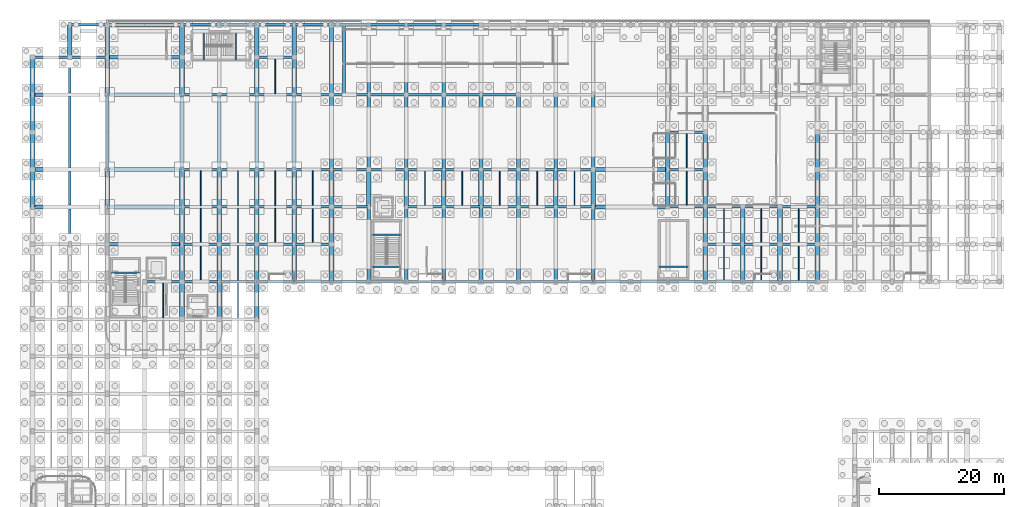
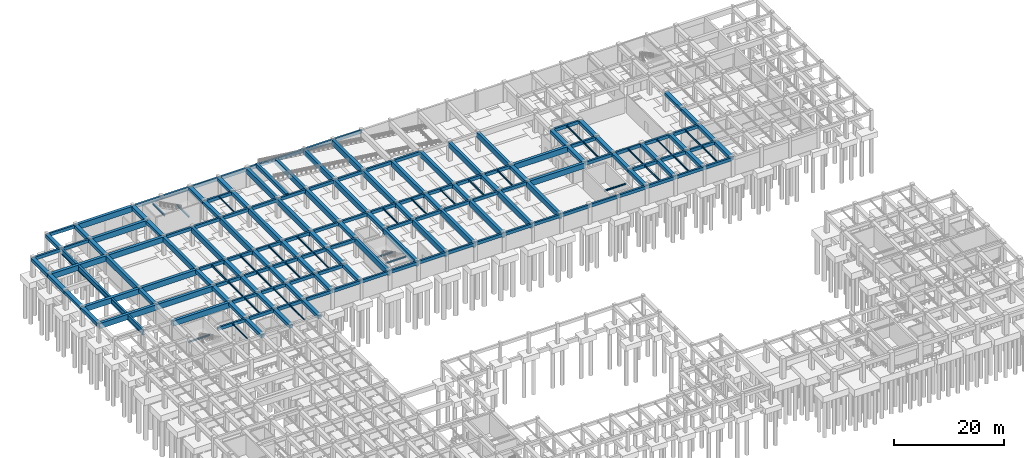
# One storey, part 14 of 32: 195 beams.
"""IFC4 building model written with IfcOpenShell, lengths in metres."""

from ifc_helpers import new_model, si_unit, direction, frame, origin, origin_2d, place, context, subcontext, project, spatial, rectangle, i_section, extrude, material, material_profile, profile_set, type_object, element, save


model = new_model("IFC4")

# Units and contexts
model_context = context("Model", 3, precision=1e-05, world=origin(), true_north=direction((0.0, 1.0)))
body_context = subcontext(model_context, "Body", "Model", "MODEL_VIEW")
ifc_project = project(units=[si_unit("LENGTHUNIT", "METRE"), si_unit("AREAUNIT", "SQUARE_METRE"), si_unit("VOLUMEUNIT", "CUBIC_METRE"), si_unit("PLANEANGLEUNIT", "RADIAN"), si_unit("MASSUNIT", "GRAM", prefix="KILO")], contexts=[model_context])

# Site, building, storey
site_placement = place(None, origin())
site = spatial("IfcSite", under=ifc_project, at=site_placement, CompositionType="ELEMENT")
building_placement = place(site_placement, origin())
building = spatial("IfcBuilding", under=site, at=building_placement, Name="Varnakota Square Police Headquarters", CompositionType="ELEMENT")
storey_placement = place(building_placement, frame((0.0, 0.0, -4.5)))
storey = spatial("IfcBuildingStorey", under=building, at=storey_placement, Name="B1", CompositionType="ELEMENT", Elevation=-4.5)

# Beams
ifc_material_1 = material(Name="Steel IS 2062 Grade 350", Category="steel")
ifc_material_profile_1 = material_profile(ifc_material_1, i_section(OverallWidth=0.419921875, OverallDepth=1.199951171875, WebThickness=0.02197265625, FlangeThickness=0.034912109375, at=origin_2d()), Name="BPG 1200x420")
ifc_profile_set_1 = profile_set([ifc_material_profile_1], Name="Steel IS 2062 Grade 350")
beam_type_1 = type_object("IfcBeamType", Name="BM-BPG1200", PredefinedType="BEAM", material=ifc_profile_set_1)
beam_1_placement = place(storey_placement, frame((12.0, 75.0, 3.60009765625), z_axis=(0.0, 1.0, 0.0), x_axis=(-1.0, 0.0, 0.0)))
element("IfcBeam", 1, at=beam_1_placement, inside=storey, type_object=beam_type_1, Name="Clear-span hall girder B1 X=12", PredefinedType="BEAM", context=body_context, shape_type="SweptSolid", body=[
    extrude(i_section(OverallWidth=0.419921875, OverallDepth=1.199951171875, WebThickness=0.02197265625, FlangeThickness=0.034912109375, at=origin_2d()), origin(), (0.0, 0.0, 1.0), 30.0),
])
ifc_material_profile_2 = material_profile(ifc_material_1, i_section(OverallWidth=0.25, OverallDepth=0.300048828125, WebThickness=0.009521484375, FlangeThickness=0.010498046875, FilletRadius=0.011962890625, at=origin_2d()), Name="ISHB 300")
ifc_profile_set_2 = profile_set([ifc_material_profile_2], Name="Steel IS 2062 Grade 350")
beam_type_2 = type_object("IfcBeamType", Name="BM-ISHB300", PredefinedType="BEAM", material=ifc_profile_set_2)
for number, where, z_axis, x_axis, name in (
    (2, (18.699951171875, 70.400634765625, 1.94189453125), (1.0, 0.0, 0.0), (0.0, 1.0, 0.0), "Stair landing support beam BM-LND-0057"),
    (3, (60.60009765625, 76.500732421875, 1.94189453125), (1.0, 0.0, 0.0), (0.0, 1.0, 0.0), "Stair landing support beam BM-LND-0069"),
    (4, (60.60009765625, 71.400146484375, 4.10009765625), (1.0, 0.0, 0.0), (0.0, 1.0, 0.0), "Stair landing support beam BM-LND-0070"),
    (5, (38.6005859375, 104.60009765625, 1.94189453125), (0.0, 1.0, 0.0), (-1.0, 0.0, 0.0), "Stair landing support beam BM-LND-0079"),
    (6, (33.5, 104.60009765625, 4.070068359375), (0.0, 1.0, 0.0), (-1.0, 0.0, 0.0), "Stair landing support beam BM-LND-0080"),
):
    element("IfcBeam", number, at=place(storey_placement, frame(where, z_axis=z_axis, x_axis=x_axis)), inside=storey, type_object=beam_type_2, Name=name, PredefinedType="BEAM", context=body_context, shape_type="SweptSolid", body=[
        extrude(i_section(OverallWidth=0.25, OverallDepth=0.300048828125, WebThickness=0.009521484375, FlangeThickness=0.010498046875, FilletRadius=0.011962890625, at=origin_2d()), origin(), (0.0, 0.0, 1.0), 4.5),
    ])
beam_2_placement = place(storey_placement, frame((106.60009765625, 71.400146484375, 4.10009765625), z_axis=(1.0, 0.0, 0.0), x_axis=(0.0, 1.0, 0.0)))
element("IfcBeam", 7, at=beam_2_placement, inside=storey, type_object=beam_type_2, Name="Stair landing support beam BM-LND-0097", PredefinedType="BEAM", context=body_context, shape_type="SweptSolid", body=[
    extrude(i_section(OverallWidth=0.25, OverallDepth=0.300048828125, WebThickness=0.009521484375, FlangeThickness=0.010498046875, FilletRadius=0.011962890625, at=origin_2d()), origin(), (0.0, 0.0, 1.0), 4.599853515625),
])
ifc_material_profile_3 = material_profile(ifc_material_1, i_section(OverallWidth=0.139892578125, OverallDepth=0.300048828125, WebThickness=0.0078125, FlangeThickness=0.01318359375, FilletRadius=0.013916015625, at=origin_2d()), Name="ISMB 300")
ifc_profile_set_3 = profile_set([ifc_material_profile_3], Name="Steel IS 2062 Grade 350")
beam_type_3 = type_object("IfcBeamType", Name="BM-ISMB300", PredefinedType="JOIST", material=ifc_profile_set_3)
for number, where, z_axis, x_axis, name in (
    (8, (27.0, 63.197998046875, 4.050048828125), (0.0, 1.0, 0.0), (-1.0, 0.0, 0.0), "BMG-B1-0582"),
    (9, (33.0, 75.197998046875, 4.050048828125), (0.0, 1.0, 0.0), (-1.0, 0.0, 0.0), "BMG-B1-0594"),
    (10, (39.0, 69.197998046875, 4.050048828125), (0.0, 1.0, 0.0), (-1.0, 0.0, 0.0), "BMG-B1-0607"),
    (11, (45.0, 81.197998046875, 4.050048828125), (0.0, 1.0, 0.0), (-1.0, 0.0, 0.0), "BMG-B1-0614"),
    (12, (45.0, 99.197998046875, 4.050048828125), (0.0, 1.0, 0.0), (-1.0, 0.0, 0.0), "BMG-B1-0615"),
    (13, (51.0, 75.197998046875, 4.050048828125), (0.0, 1.0, 0.0), (-1.0, 0.0, 0.0), "BMG-B1-0617"),
    (14, (81.0, 81.197998046875, 4.050048828125), (0.0, 1.0, 0.0), (-1.0, 0.0, 0.0), "BMG-B1-0628"),
    (15, (111.0, 87.197998046875, 4.050048828125), (0.0, 1.0, 0.0), (-1.0, 0.0, 0.0), "BMG-B1-0638"),
    (16, (123.0, 75.197998046875, 4.050048828125), (0.0, 1.0, 0.0), (-1.0, 0.0, 0.0), "BMG-B1-0647"),
    (17, (129.0, 69.197998046875, 4.050048828125), (0.0, 1.0, 0.0), (-1.0, 0.0, 0.0), "BMG-B1-0649"),
):
    element("IfcBeam", number, at=place(storey_placement, frame(where, z_axis=z_axis, x_axis=x_axis)), inside=storey, type_object=beam_type_3, Name=name, PredefinedType="JOIST", context=body_context, shape_type="SweptSolid", body=[
        extrude(i_section(OverallWidth=0.139892578125, OverallDepth=0.300048828125, WebThickness=0.0078125, FlangeThickness=0.01318359375, FilletRadius=0.013916015625, at=origin_2d()), origin(), (0.0, 0.0, 1.0), 5.60400390625),
    ])
ifc_material_profile_4 = material_profile(ifc_material_1, i_section(OverallWidth=0.139892578125, OverallDepth=0.35009765625, WebThickness=0.008056640625, FlangeThickness=0.01416015625, FilletRadius=0.013916015625, at=origin_2d()), Name="ISMB 350")
ifc_profile_set_4 = profile_set([ifc_material_profile_4], Name="Steel IS 2062 Grade 350")
beam_type_4 = type_object("IfcBeamType", Name="BM-ISMB350", PredefinedType="JOIST", material=ifc_profile_set_4)
for number, where, z_axis, x_axis, name in (
    (18, (33.0, 69.197998046875, 4.02490234375), (0.0, 1.0, 0.0), (-1.0, 0.0, 0.0), "BMG-B1-0593"),
    (19, (39.0, 63.197998046875, 4.02490234375), (0.0, 1.0, 0.0), (-1.0, 0.0, 0.0), "BMG-B1-0606"),
    (20, (39.0, 81.197998046875, 4.02490234375), (0.0, 1.0, 0.0), (-1.0, 0.0, 0.0), "BMG-B1-0609"),
    (21, (45.0, 75.197998046875, 4.02490234375), (0.0, 1.0, 0.0), (-1.0, 0.0, 0.0), "BMG-B1-0613"),
    (22, (75.0, 81.197998046875, 4.02490234375), (0.0, 1.0, 0.0), (-1.0, 0.0, 0.0), "BMG-B1-0626"),
    (23, (93.0, 81.197998046875, 4.02490234375), (0.0, 1.0, 0.0), (-1.0, 0.0, 0.0), "BMG-B1-0634"),
    (24, (111.0, 81.197998046875, 4.02490234375), (0.0, 1.0, 0.0), (-1.0, 0.0, 0.0), "BMG-B1-0637"),
    (25, (117.0, 75.197998046875, 4.02490234375), (0.0, 1.0, 0.0), (-1.0, 0.0, 0.0), "BMG-B1-0643"),
    (26, (123.0, 69.197998046875, 4.02490234375), (0.0, 1.0, 0.0), (-1.0, 0.0, 0.0), "BMG-B1-0646"),
):
    element("IfcBeam", number, at=place(storey_placement, frame(where, z_axis=z_axis, x_axis=x_axis)), inside=storey, type_object=beam_type_4, Name=name, PredefinedType="JOIST", context=body_context, shape_type="SweptSolid", body=[
        extrude(i_section(OverallWidth=0.139892578125, OverallDepth=0.35009765625, WebThickness=0.008056640625, FlangeThickness=0.01416015625, FilletRadius=0.013916015625, at=origin_2d()), origin(), (0.0, 0.0, 1.0), 5.60400390625),
    ])
ifc_material_profile_5 = material_profile(ifc_material_1, i_section(OverallWidth=0.139892578125, OverallDepth=0.39990234375, WebThickness=0.0087890625, FlangeThickness=0.01611328125, FilletRadius=0.013916015625, at=origin_2d()), Name="ISMB 400")
ifc_profile_set_5 = profile_set([ifc_material_profile_5], Name="Steel IS 2062 Grade 350")
beam_type_5 = type_object("IfcBeamType", Name="BM-ISMB400", PredefinedType="JOIST", material=ifc_profile_set_5)
for number, where, z_axis, x_axis, name in (
    (27, (33.0, 81.197998046875, 4.0), (0.0, 1.0, 0.0), (-1.0, 0.0, 0.0), "BMG-B1-0595"),
    (28, (39.0, 75.197998046875, 4.0), (0.0, 1.0, 0.0), (-1.0, 0.0, 0.0), "BMG-B1-0608"),
    (29, (51.0, 81.197998046875, 4.0), (0.0, 1.0, 0.0), (-1.0, 0.0, 0.0), "BMG-B1-0618"),
    (30, (69.0, 81.197998046875, 4.0), (0.0, 1.0, 0.0), (-1.0, 0.0, 0.0), "BMG-B1-0624"),
    (31, (87.0, 81.197998046875, 4.0), (0.0, 1.0, 0.0), (-1.0, 0.0, 0.0), "BMG-B1-0630"),
    (32, (117.0, 69.197998046875, 4.0), (0.0, 1.0, 0.0), (-1.0, 0.0, 0.0), "BMG-B1-0642"),
    (33, (129.0, 75.197998046875, 4.0), (0.0, 1.0, 0.0), (-1.0, 0.0, 0.0), "BMG-B1-0650"),
):
    element("IfcBeam", number, at=place(storey_placement, frame(where, z_axis=z_axis, x_axis=x_axis)), inside=storey, type_object=beam_type_5, Name=name, PredefinedType="JOIST", context=body_context, shape_type="SweptSolid", body=[
        extrude(i_section(OverallWidth=0.139892578125, OverallDepth=0.39990234375, WebThickness=0.0087890625, FlangeThickness=0.01611328125, FilletRadius=0.013916015625, at=origin_2d()), origin(), (0.0, 0.0, 1.0), 5.60400390625),
    ])
ifc_material_2 = material(Name="Concrete M40", Category="concrete")
ifc_material_profile_6 = material_profile(ifc_material_2, rectangle(XDim=0.39990234375, YDim=0.699951171875, at=origin_2d()), Name="RC 400x700")
ifc_profile_set_6 = profile_set([ifc_material_profile_6], Name="Concrete M40")
beam_type_6 = type_object("IfcBeamType", Name="BM-RC400x700", PredefinedType="BEAM", material=ifc_profile_set_6)
for number, where, z_axis, x_axis, name in (
    (34, (24.0, 69.0, 3.85009765625), (1.0, 0.0, 0.0), (0.0, 1.0, 0.0), "BMG-B1-0141"),
    (35, (30.0, 69.0, 3.85009765625), (1.0, 0.0, 0.0), (0.0, 1.0, 0.0), "BMG-B1-0142"),
    (36, (36.0, 69.0, 3.85009765625), (1.0, 0.0, 0.0), (0.0, 1.0, 0.0), "BMG-B1-0143"),
    (37, (42.0, 69.0, 3.85009765625), (1.0, 0.0, 0.0), (0.0, 1.0, 0.0), "BMG-B1-0144"),
    (38, (48.0, 69.0, 3.85009765625), (1.0, 0.0, 0.0), (0.0, 1.0, 0.0), "BMG-B1-0145"),
    (39, (54.0, 69.0, 3.85009765625), (1.0, 0.0, 0.0), (0.0, 1.0, 0.0), "BMG-B1-0146"),
    (40, (60.0, 69.0, 3.85009765625), (1.0, 0.0, 0.0), (0.0, 1.0, 0.0), "BMG-B1-0147"),
    (41, (66.0, 69.0, 3.85009765625), (1.0, 0.0, 0.0), (0.0, 1.0, 0.0), "BMG-B1-0148"),
    (42, (72.0, 69.0, 3.85009765625), (1.0, 0.0, 0.0), (0.0, 1.0, 0.0), "BMG-B1-0149"),
    (43, (78.0, 69.0, 3.85009765625), (1.0, 0.0, 0.0), (0.0, 1.0, 0.0), "BMG-B1-0150"),
    (44, (84.0, 69.0, 3.85009765625), (1.0, 0.0, 0.0), (0.0, 1.0, 0.0), "BMG-B1-0151"),
    (45, (90.0, 69.0, 3.85009765625), (1.0, 0.0, 0.0), (0.0, 1.0, 0.0), "BMG-B1-0152"),
    (46, (96.0, 69.0, 3.85009765625), (1.0, 0.0, 0.0), (0.0, 1.0, 0.0), "BMG-B1-0153"),
    (47, (102.0, 69.0, 3.85009765625), (1.0, 0.0, 0.0), (0.0, 1.0, 0.0), "BMG-B1-0154"),
    (48, (108.0, 69.0, 3.85009765625), (1.0, 0.0, 0.0), (0.0, 1.0, 0.0), "BMG-B1-0155"),
    (49, (114.0, 69.0, 3.85009765625), (1.0, 0.0, 0.0), (0.0, 1.0, 0.0), "BMG-B1-0156"),
    (50, (120.0, 69.0, 3.85009765625), (1.0, 0.0, 0.0), (0.0, 1.0, 0.0), "BMG-B1-0157"),
    (51, (126.0, 69.0, 3.85009765625), (1.0, 0.0, 0.0), (0.0, 1.0, 0.0), "BMG-B1-0158"),
    (52, (30.0, 75.0, 3.85009765625), (1.0, 0.0, 0.0), (0.0, 1.0, 0.0), "BMG-B1-0167"),
    (53, (36.0, 75.0, 3.85009765625), (1.0, 0.0, 0.0), (0.0, 1.0, 0.0), "BMG-B1-0168"),
    (54, (42.0, 75.0, 3.85009765625), (1.0, 0.0, 0.0), (0.0, 1.0, 0.0), "BMG-B1-0169"),
    (55, (48.0, 75.0, 3.85009765625), (1.0, 0.0, 0.0), (0.0, 1.0, 0.0), "BMG-B1-0170"),
    (56, (114.0, 75.0, 3.85009765625), (1.0, 0.0, 0.0), (0.0, 1.0, 0.0), "BMG-B1-0171"),
    (57, (120.0, 75.0, 3.85009765625), (1.0, 0.0, 0.0), (0.0, 1.0, 0.0), "BMG-B1-0172"),
    (58, (126.0, 75.0, 3.85009765625), (1.0, 0.0, 0.0), (0.0, 1.0, 0.0), "BMG-B1-0173"),
    (59, (30.0, 81.0, 3.85009765625), (1.0, 0.0, 0.0), (0.0, 1.0, 0.0), "BMG-B1-0181"),
    (60, (36.0, 81.0, 3.85009765625), (1.0, 0.0, 0.0), (0.0, 1.0, 0.0), "BMG-B1-0182"),
    (61, (42.0, 81.0, 3.85009765625), (1.0, 0.0, 0.0), (0.0, 1.0, 0.0), "BMG-B1-0183"),
    (62, (48.0, 81.0, 3.85009765625), (1.0, 0.0, 0.0), (0.0, 1.0, 0.0), "BMG-B1-0184"),
    (63, (54.0, 81.0, 3.85009765625), (1.0, 0.0, 0.0), (0.0, 1.0, 0.0), "BMG-B1-0185"),
    (64, (66.0, 81.0, 3.85009765625), (1.0, 0.0, 0.0), (0.0, 1.0, 0.0), "BMG-B1-0186"),
    (65, (72.0, 81.0, 3.85009765625), (1.0, 0.0, 0.0), (0.0, 1.0, 0.0), "BMG-B1-0187"),
    (66, (78.0, 81.0, 3.85009765625), (1.0, 0.0, 0.0), (0.0, 1.0, 0.0), "BMG-B1-0188"),
    (67, (84.0, 81.0, 3.85009765625), (1.0, 0.0, 0.0), (0.0, 1.0, 0.0), "BMG-B1-0189"),
    (68, (90.0, 81.0, 3.85009765625), (1.0, 0.0, 0.0), (0.0, 1.0, 0.0), "BMG-B1-0190"),
    (69, (108.0, 81.0, 3.85009765625), (1.0, 0.0, 0.0), (0.0, 1.0, 0.0), "BMG-B1-0192"),
    (70, (114.0, 81.0, 3.85009765625), (1.0, 0.0, 0.0), (0.0, 1.0, 0.0), "BMG-B1-0193"),
    (71, (120.0, 81.0, 3.85009765625), (1.0, 0.0, 0.0), (0.0, 1.0, 0.0), "BMG-B1-0194"),
    (72, (126.0, 81.0, 3.85009765625), (1.0, 0.0, 0.0), (0.0, 1.0, 0.0), "BMG-B1-0195"),
    (73, (30.0, 87.0, 3.85009765625), (1.0, 0.0, 0.0), (0.0, 1.0, 0.0), "BMG-B1-0203"),
    (74, (36.0, 87.0, 3.85009765625), (1.0, 0.0, 0.0), (0.0, 1.0, 0.0), "BMG-B1-0204"),
    (75, (42.0, 87.0, 3.85009765625), (1.0, 0.0, 0.0), (0.0, 1.0, 0.0), "BMG-B1-0205"),
    (76, (48.0, 87.0, 3.85009765625), (1.0, 0.0, 0.0), (0.0, 1.0, 0.0), "BMG-B1-0206"),
    (77, (54.0, 87.0, 3.85009765625), (1.0, 0.0, 0.0), (0.0, 1.0, 0.0), "BMG-B1-0207"),
    (78, (60.0, 87.0, 3.85009765625), (1.0, 0.0, 0.0), (0.0, 1.0, 0.0), "BMG-B1-0208"),
    (79, (66.0, 87.0, 3.85009765625), (1.0, 0.0, 0.0), (0.0, 1.0, 0.0), "BMG-B1-0209"),
    (80, (72.0, 87.0, 3.85009765625), (1.0, 0.0, 0.0), (0.0, 1.0, 0.0), "BMG-B1-0210"),
    (81, (78.0, 87.0, 3.85009765625), (1.0, 0.0, 0.0), (0.0, 1.0, 0.0), "BMG-B1-0211"),
    (82, (84.0, 87.0, 3.85009765625), (1.0, 0.0, 0.0), (0.0, 1.0, 0.0), "BMG-B1-0212"),
    (83, (90.0, 87.0, 3.85009765625), (1.0, 0.0, 0.0), (0.0, 1.0, 0.0), "BMG-B1-0213"),
    (84, (108.0, 87.0, 3.85009765625), (1.0, 0.0, 0.0), (0.0, 1.0, 0.0), "BMG-B1-0215"),
    (85, (108.0, 93.0, 3.85009765625), (1.0, 0.0, 0.0), (0.0, 1.0, 0.0), "BMG-B1-0221"),
    (86, (30.0, 99.0, 3.85009765625), (1.0, 0.0, 0.0), (0.0, 1.0, 0.0), "BMG-B1-0229"),
    (87, (36.0, 99.0, 3.85009765625), (1.0, 0.0, 0.0), (0.0, 1.0, 0.0), "BMG-B1-0230"),
    (88, (42.0, 99.0, 3.85009765625), (1.0, 0.0, 0.0), (0.0, 1.0, 0.0), "BMG-B1-0231"),
    (89, (48.0, 99.0, 3.85009765625), (1.0, 0.0, 0.0), (0.0, 1.0, 0.0), "BMG-B1-0232"),
    (90, (54.0, 99.0, 3.85009765625), (1.0, 0.0, 0.0), (0.0, 1.0, 0.0), "BMG-B1-0233"),
    (91, (60.0, 99.0, 3.85009765625), (1.0, 0.0, 0.0), (0.0, 1.0, 0.0), "BMG-B1-0234"),
    (92, (66.0, 99.0, 3.85009765625), (1.0, 0.0, 0.0), (0.0, 1.0, 0.0), "BMG-B1-0235"),
    (93, (72.0, 99.0, 3.85009765625), (1.0, 0.0, 0.0), (0.0, 1.0, 0.0), "BMG-B1-0236"),
    (94, (78.0, 99.0, 3.85009765625), (1.0, 0.0, 0.0), (0.0, 1.0, 0.0), "BMG-B1-0237"),
    (95, (6.0, 105.0, 3.85009765625), (1.0, 0.0, 0.0), (0.0, 1.0, 0.0), "BMG-B1-0249"),
    (96, (12.0, 105.0, 3.85009765625), (1.0, 0.0, 0.0), (0.0, 1.0, 0.0), "BMG-B1-0250"),
    (97, (42.0, 105.0, 3.85009765625), (1.0, 0.0, 0.0), (0.0, 1.0, 0.0), "BMG-B1-0252"),
    (98, (12.0, 110.199951171875, 3.85009765625), (1.0, 0.0, 0.0), (0.0, 1.0, 0.0), "BMG-B1-0260"),
    (99, (30.0, 110.199951171875, 3.85009765625), (1.0, 0.0, 0.0), (0.0, 1.0, 0.0), "BMG-B1-0262"),
    (100, (36.0, 110.199951171875, 3.85009765625), (1.0, 0.0, 0.0), (0.0, 1.0, 0.0), "BMG-B1-0263"),
    (101, (42.0, 110.199951171875, 3.85009765625), (1.0, 0.0, 0.0), (0.0, 1.0, 0.0), "BMG-B1-0264"),
    (102, (48.0, 110.199951171875, 3.85009765625), (1.0, 0.0, 0.0), (0.0, 1.0, 0.0), "BMG-B1-0265"),
    (103, (54.0, 110.199951171875, 3.85009765625), (1.0, 0.0, 0.0), (0.0, 1.0, 0.0), "BMG-B1-0266"),
    (104, (60.0, 110.199951171875, 3.85009765625), (1.0, 0.0, 0.0), (0.0, 1.0, 0.0), "BMG-B1-0267"),
    (105, (66.0, 110.199951171875, 3.85009765625), (1.0, 0.0, 0.0), (0.0, 1.0, 0.0), "BMG-B1-0268"),
    (106, (72.0, 110.199951171875, 3.85009765625), (1.0, 0.0, 0.0), (0.0, 1.0, 0.0), "BMG-B1-0269"),
):
    element("IfcBeam", number, at=place(storey_placement, frame(where, z_axis=z_axis, x_axis=x_axis)), inside=storey, type_object=beam_type_6, Name=name, PredefinedType="BEAM", context=body_context, shape_type="SweptSolid", body=[
        extrude(rectangle(XDim=0.39990234375, YDim=0.699951171875, at=origin_2d()), origin(), (0.0, 0.0, 1.0), 6.0),
    ])
ifc_material_profile_7 = material_profile(ifc_material_2, rectangle(XDim=0.5, YDim=0.85009765625, at=origin_2d()), Name="RC 500x850")
ifc_profile_set_7 = profile_set([ifc_material_profile_7], Name="Concrete M40")
beam_type_7 = type_object("IfcBeamType", Name="BM-RC500x850", PredefinedType="BEAM", material=ifc_profile_set_7)
beam_3_placement = place(storey_placement, frame((56.0, 99.0, 4.074951171875), z_axis=(0.0, 1.0, 0.0), x_axis=(-1.0, 0.0, 0.0)))
element("IfcBeam", 107, at=beam_3_placement, inside=storey, type_object=beam_type_7, Name="Vehicle ramp arrival header beam B1", PredefinedType="BEAM", context=body_context, shape_type="SweptSolid", body=[
    extrude(rectangle(XDim=0.5, YDim=0.85009765625, at=origin_2d()), origin(), (0.0, 0.0, 1.0), 11.199951171875),
])
ifc_material_3 = material(Name="Concrete M50", Category="concrete")
ifc_material_profile_8 = material_profile(ifc_material_3, rectangle(XDim=0.60009765625, YDim=1.199951171875, at=origin_2d()), Name="RC 600x1200")
ifc_profile_set_8 = profile_set([ifc_material_profile_8], Name="Concrete M50")
beam_type_8 = type_object("IfcBeamType", Name="BM-RC600x1200", PredefinedType="BEAM", material=ifc_profile_set_8)
for number, where, z_axis, x_axis, name in (
    (108, (18.0, 75.0, 3.60009765625), (1.0, 0.0, 0.0), (0.0, 1.0, 0.0), "BMG-B1-0166"),
    (109, (6.0, 81.0, 3.60009765625), (1.0, 0.0, 0.0), (0.0, 1.0, 0.0), "BMG-B1-0179"),
    (110, (18.0, 81.0, 3.60009765625), (1.0, 0.0, 0.0), (0.0, 1.0, 0.0), "BMG-B1-0180"),
    (111, (96.0, 81.0, 3.60009765625), (1.0, 0.0, 0.0), (0.0, 1.0, 0.0), "BMG-B1-0191"),
    (112, (6.0, 87.0, 3.60009765625), (1.0, 0.0, 0.0), (0.0, 1.0, 0.0), "BMG-B1-0201"),
    (113, (18.0, 87.0, 3.60009765625), (1.0, 0.0, 0.0), (0.0, 1.0, 0.0), "BMG-B1-0202"),
    (114, (96.0, 87.0, 3.60009765625), (1.0, 0.0, 0.0), (0.0, 1.0, 0.0), "BMG-B1-0214"),
    (115, (6.0, 99.0, 3.60009765625), (1.0, 0.0, 0.0), (0.0, 1.0, 0.0), "BMG-B1-0227"),
    (116, (18.0, 99.0, 3.60009765625), (1.0, 0.0, 0.0), (0.0, 1.0, 0.0), "BMG-B1-0228"),
    (117, (18.0, 105.0, 3.60009765625), (1.0, 0.0, 0.0), (0.0, 1.0, 0.0), "BMG-B1-0251"),
    (118, (18.0, 110.199951171875, 3.60009765625), (1.0, 0.0, 0.0), (0.0, 1.0, 0.0), "BMG-B1-0261"),
    (119, (18.0, 87.0, 3.60009765625), (0.0, 1.0, 0.0), (-1.0, 0.0, 0.0), "BMG-B1-0325"),
    (120, (30.0, 87.0, 3.60009765625), (0.0, 1.0, 0.0), (-1.0, 0.0, 0.0), "BMG-B1-0350"),
    (121, (36.0, 87.0, 3.60009765625), (0.0, 1.0, 0.0), (-1.0, 0.0, 0.0), "BMG-B1-0367"),
    (122, (42.0, 87.0, 3.60009765625), (0.0, 1.0, 0.0), (-1.0, 0.0, 0.0), "BMG-B1-0382"),
    (123, (48.0, 87.0, 3.60009765625), (0.0, 1.0, 0.0), (-1.0, 0.0, 0.0), "BMG-B1-0391"),
    (124, (54.0, 87.0, 3.60009765625), (0.0, 1.0, 0.0), (-1.0, 0.0, 0.0), "BMG-B1-0403"),
):
    element("IfcBeam", number, at=place(storey_placement, frame(where, z_axis=z_axis, x_axis=x_axis)), inside=storey, type_object=beam_type_8, Name=name, PredefinedType="BEAM", context=body_context, shape_type="SweptSolid", body=[
        extrude(rectangle(XDim=0.60009765625, YDim=1.199951171875, at=origin_2d()), origin(), (0.0, 0.0, 1.0), 12.0),
    ])
beam_4_placement = place(storey_placement, frame((54.0, 99.0, 3.60009765625), z_axis=(0.0, 1.0, 0.0), x_axis=(-1.0, 0.0, 0.0)))
element("IfcBeam", 125, at=beam_4_placement, inside=storey, type_object=beam_type_8, Name="BMG-B1-0404", PredefinedType="BEAM", context=body_context, shape_type="SweptSolid", body=[
    extrude(rectangle(XDim=0.60009765625, YDim=1.199951171875, at=origin_2d()), origin(), (0.0, 0.0, 1.0), 11.199951171875),
])
for number, where, z_axis, x_axis, name in (
    (126, (60.0, 69.0, 3.60009765625), (0.0, 1.0, 0.0), (-1.0, 0.0, 0.0), "BMG-B1-0408"),
    (127, (60.0, 87.0, 3.60009765625), (0.0, 1.0, 0.0), (-1.0, 0.0, 0.0), "BMG-B1-0410"),
):
    element("IfcBeam", number, at=place(storey_placement, frame(where, z_axis=z_axis, x_axis=x_axis)), inside=storey, type_object=beam_type_8, Name=name, PredefinedType="BEAM", context=body_context, shape_type="SweptSolid", body=[
        extrude(rectangle(XDim=0.60009765625, YDim=1.199951171875, at=origin_2d()), origin(), (0.0, 0.0, 1.0), 12.0),
    ])
beam_5_placement = place(storey_placement, frame((60.0, 99.0, 3.60009765625), z_axis=(0.0, 1.0, 0.0), x_axis=(-1.0, 0.0, 0.0)))
element("IfcBeam", 128, at=beam_5_placement, inside=storey, type_object=beam_type_8, Name="BMG-B1-0411", PredefinedType="BEAM", context=body_context, shape_type="SweptSolid", body=[
    extrude(rectangle(XDim=0.60009765625, YDim=1.199951171875, at=origin_2d()), origin(), (0.0, 0.0, 1.0), 11.199951171875),
])
for number, where, z_axis, x_axis, name in (
    (129, (66.0, 69.0, 3.60009765625), (0.0, 1.0, 0.0), (-1.0, 0.0, 0.0), "BMG-B1-0413"),
    (130, (66.0, 87.0, 3.60009765625), (0.0, 1.0, 0.0), (-1.0, 0.0, 0.0), "BMG-B1-0415"),
):
    element("IfcBeam", number, at=place(storey_placement, frame(where, z_axis=z_axis, x_axis=x_axis)), inside=storey, type_object=beam_type_8, Name=name, PredefinedType="BEAM", context=body_context, shape_type="SweptSolid", body=[
        extrude(rectangle(XDim=0.60009765625, YDim=1.199951171875, at=origin_2d()), origin(), (0.0, 0.0, 1.0), 12.0),
    ])
beam_6_placement = place(storey_placement, frame((66.0, 99.0, 3.60009765625), z_axis=(0.0, 1.0, 0.0), x_axis=(-1.0, 0.0, 0.0)))
element("IfcBeam", 131, at=beam_6_placement, inside=storey, type_object=beam_type_8, Name="BMG-B1-0416", PredefinedType="BEAM", context=body_context, shape_type="SweptSolid", body=[
    extrude(rectangle(XDim=0.60009765625, YDim=1.199951171875, at=origin_2d()), origin(), (0.0, 0.0, 1.0), 11.199951171875),
])
for number, where, z_axis, x_axis, name in (
    (132, (72.0, 69.0, 3.60009765625), (0.0, 1.0, 0.0), (-1.0, 0.0, 0.0), "BMG-B1-0418"),
    (133, (72.0, 87.0, 3.60009765625), (0.0, 1.0, 0.0), (-1.0, 0.0, 0.0), "BMG-B1-0420"),
):
    element("IfcBeam", number, at=place(storey_placement, frame(where, z_axis=z_axis, x_axis=x_axis)), inside=storey, type_object=beam_type_8, Name=name, PredefinedType="BEAM", context=body_context, shape_type="SweptSolid", body=[
        extrude(rectangle(XDim=0.60009765625, YDim=1.199951171875, at=origin_2d()), origin(), (0.0, 0.0, 1.0), 12.0),
    ])
beam_7_placement = place(storey_placement, frame((72.0, 99.0, 3.60009765625), z_axis=(0.0, 1.0, 0.0), x_axis=(-1.0, 0.0, 0.0)))
element("IfcBeam", 134, at=beam_7_placement, inside=storey, type_object=beam_type_8, Name="BMG-B1-0421", PredefinedType="BEAM", context=body_context, shape_type="SweptSolid", body=[
    extrude(rectangle(XDim=0.60009765625, YDim=1.199951171875, at=origin_2d()), origin(), (0.0, 0.0, 1.0), 11.199951171875),
])
for number, where, z_axis, x_axis, name in (
    (135, (78.0, 69.0, 3.60009765625), (0.0, 1.0, 0.0), (-1.0, 0.0, 0.0), "BMG-B1-0423"),
    (136, (78.0, 87.0, 3.60009765625), (0.0, 1.0, 0.0), (-1.0, 0.0, 0.0), "BMG-B1-0425"),
    (137, (84.0, 69.0, 3.60009765625), (0.0, 1.0, 0.0), (-1.0, 0.0, 0.0), "BMG-B1-0428"),
    (138, (84.0, 87.0, 3.60009765625), (0.0, 1.0, 0.0), (-1.0, 0.0, 0.0), "BMG-B1-0430"),
    (139, (90.0, 69.0, 3.60009765625), (0.0, 1.0, 0.0), (-1.0, 0.0, 0.0), "BMG-B1-0435"),
    (140, (90.0, 87.0, 3.60009765625), (0.0, 1.0, 0.0), (-1.0, 0.0, 0.0), "BMG-B1-0437"),
    (141, (96.0, 69.0, 3.60009765625), (0.0, 1.0, 0.0), (-1.0, 0.0, 0.0), "BMG-B1-0445"),
    (142, (96.0, 87.0, 3.60009765625), (0.0, 1.0, 0.0), (-1.0, 0.0, 0.0), "BMG-B1-0447"),
):
    element("IfcBeam", number, at=place(storey_placement, frame(where, z_axis=z_axis, x_axis=x_axis)), inside=storey, type_object=beam_type_8, Name=name, PredefinedType="BEAM", context=body_context, shape_type="SweptSolid", body=[
        extrude(rectangle(XDim=0.60009765625, YDim=1.199951171875, at=origin_2d()), origin(), (0.0, 0.0, 1.0), 12.0),
    ])
ifc_material_profile_9 = material_profile(ifc_material_3, rectangle(XDim=0.75, YDim=0.75, at=origin_2d()), Name="RC 750x750")
ifc_profile_set_9 = profile_set([ifc_material_profile_9], Name="Concrete M50")
beam_type_9 = type_object("IfcBeamType", Name="BM-RC750x750", PredefinedType="BEAM", material=ifc_profile_set_9)
for number, where, z_axis, x_axis, name in (
    (143, (6.0, 81.0, 3.824951171875), (0.0, 1.0, 0.0), (-1.0, 0.0, 0.0), "BMG-B1-0293"),
    (144, (6.0, 87.0, 3.824951171875), (0.0, 1.0, 0.0), (-1.0, 0.0, 0.0), "BMG-B1-0294"),
    (145, (6.0, 93.0, 3.824951171875), (0.0, 1.0, 0.0), (-1.0, 0.0, 0.0), "BMG-B1-0295"),
    (146, (6.0, 99.0, 3.824951171875), (0.0, 1.0, 0.0), (-1.0, 0.0, 0.0), "BMG-B1-0296"),
):
    element("IfcBeam", number, at=place(storey_placement, frame(where, z_axis=z_axis, x_axis=x_axis)), inside=storey, type_object=beam_type_9, Name=name, PredefinedType="BEAM", context=body_context, shape_type="SweptSolid", body=[
        extrude(rectangle(XDim=0.75, YDim=0.75, at=origin_2d()), origin(), (0.0, 0.0, 1.0), 6.0),
    ])
beam_8_placement = place(storey_placement, frame((12.0, 105.0, 3.824951171875), z_axis=(0.0, 1.0, 0.0), x_axis=(-1.0, 0.0, 0.0)))
element("IfcBeam", 147, at=beam_8_placement, inside=storey, type_object=beam_type_9, Name="BMG-B1-0310", PredefinedType="BEAM", context=body_context, shape_type="SweptSolid", body=[
    extrude(rectangle(XDim=0.75, YDim=0.75, at=origin_2d()), origin(), (0.0, 0.0, 1.0), 5.199951171875),
])
for number, where, z_axis, x_axis, name in (
    (148, (18.0, 81.0, 3.824951171875), (0.0, 1.0, 0.0), (-1.0, 0.0, 0.0), "BMG-B1-0324"),
    (149, (18.0, 99.0, 3.824951171875), (0.0, 1.0, 0.0), (-1.0, 0.0, 0.0), "BMG-B1-0326"),
):
    element("IfcBeam", number, at=place(storey_placement, frame(where, z_axis=z_axis, x_axis=x_axis)), inside=storey, type_object=beam_type_9, Name=name, PredefinedType="BEAM", context=body_context, shape_type="SweptSolid", body=[
        extrude(rectangle(XDim=0.75, YDim=0.75, at=origin_2d()), origin(), (0.0, 0.0, 1.0), 6.0),
    ])
beam_9_placement = place(storey_placement, frame((18.0, 105.0, 3.824951171875), z_axis=(0.0, 1.0, 0.0), x_axis=(-1.0, 0.0, 0.0)))
element("IfcBeam", 150, at=beam_9_placement, inside=storey, type_object=beam_type_9, Name="BMG-B1-0327", PredefinedType="BEAM", context=body_context, shape_type="SweptSolid", body=[
    extrude(rectangle(XDim=0.75, YDim=0.75, at=origin_2d()), origin(), (0.0, 0.0, 1.0), 5.199951171875),
])
for number, where, z_axis, x_axis, name in (
    (151, (30.0, 63.0, 3.824951171875), (0.0, 1.0, 0.0), (-1.0, 0.0, 0.0), "BMG-B1-0346"),
    (152, (30.0, 69.0, 3.824951171875), (0.0, 1.0, 0.0), (-1.0, 0.0, 0.0), "BMG-B1-0347"),
    (153, (30.0, 75.0, 3.824951171875), (0.0, 1.0, 0.0), (-1.0, 0.0, 0.0), "BMG-B1-0348"),
    (154, (30.0, 81.0, 3.824951171875), (0.0, 1.0, 0.0), (-1.0, 0.0, 0.0), "BMG-B1-0349"),
    (155, (30.0, 99.0, 3.824951171875), (0.0, 1.0, 0.0), (-1.0, 0.0, 0.0), "BMG-B1-0351"),
):
    element("IfcBeam", number, at=place(storey_placement, frame(where, z_axis=z_axis, x_axis=x_axis)), inside=storey, type_object=beam_type_9, Name=name, PredefinedType="BEAM", context=body_context, shape_type="SweptSolid", body=[
        extrude(rectangle(XDim=0.75, YDim=0.75, at=origin_2d()), origin(), (0.0, 0.0, 1.0), 6.0),
    ])
beam_10_placement = place(storey_placement, frame((30.0, 105.0, 3.824951171875), z_axis=(0.0, 1.0, 0.0), x_axis=(-1.0, 0.0, 0.0)))
element("IfcBeam", 156, at=beam_10_placement, inside=storey, type_object=beam_type_9, Name="BMG-B1-0352", PredefinedType="BEAM", context=body_context, shape_type="SweptSolid", body=[
    extrude(rectangle(XDim=0.75, YDim=0.75, at=origin_2d()), origin(), (0.0, 0.0, 1.0), 5.199951171875),
])
for number, where, z_axis, x_axis, name in (
    (157, (36.0, 63.0, 3.824951171875), (0.0, 1.0, 0.0), (-1.0, 0.0, 0.0), "BMG-B1-0363"),
    (158, (36.0, 69.0, 3.824951171875), (0.0, 1.0, 0.0), (-1.0, 0.0, 0.0), "BMG-B1-0364"),
    (159, (36.0, 75.0, 3.824951171875), (0.0, 1.0, 0.0), (-1.0, 0.0, 0.0), "BMG-B1-0365"),
    (160, (36.0, 81.0, 3.824951171875), (0.0, 1.0, 0.0), (-1.0, 0.0, 0.0), "BMG-B1-0366"),
    (161, (42.0, 63.0, 3.824951171875), (0.0, 1.0, 0.0), (-1.0, 0.0, 0.0), "BMG-B1-0378"),
    (162, (42.0, 69.0, 3.824951171875), (0.0, 1.0, 0.0), (-1.0, 0.0, 0.0), "BMG-B1-0379"),
    (163, (42.0, 75.0, 3.824951171875), (0.0, 1.0, 0.0), (-1.0, 0.0, 0.0), "BMG-B1-0380"),
    (164, (42.0, 81.0, 3.824951171875), (0.0, 1.0, 0.0), (-1.0, 0.0, 0.0), "BMG-B1-0381"),
    (165, (42.0, 99.0, 3.824951171875), (0.0, 1.0, 0.0), (-1.0, 0.0, 0.0), "BMG-B1-0383"),
):
    element("IfcBeam", number, at=place(storey_placement, frame(where, z_axis=z_axis, x_axis=x_axis)), inside=storey, type_object=beam_type_9, Name=name, PredefinedType="BEAM", context=body_context, shape_type="SweptSolid", body=[
        extrude(rectangle(XDim=0.75, YDim=0.75, at=origin_2d()), origin(), (0.0, 0.0, 1.0), 6.0),
    ])
beam_11_placement = place(storey_placement, frame((42.0, 105.0, 3.824951171875), z_axis=(0.0, 1.0, 0.0), x_axis=(-1.0, 0.0, 0.0)))
element("IfcBeam", 166, at=beam_11_placement, inside=storey, type_object=beam_type_9, Name="BMG-B1-0384", PredefinedType="BEAM", context=body_context, shape_type="SweptSolid", body=[
    extrude(rectangle(XDim=0.75, YDim=0.75, at=origin_2d()), origin(), (0.0, 0.0, 1.0), 5.199951171875),
])
for number, where, z_axis, x_axis, name in (
    (167, (48.0, 69.0, 3.824951171875), (0.0, 1.0, 0.0), (-1.0, 0.0, 0.0), "BMG-B1-0388"),
    (168, (48.0, 75.0, 3.824951171875), (0.0, 1.0, 0.0), (-1.0, 0.0, 0.0), "BMG-B1-0389"),
    (169, (48.0, 81.0, 3.824951171875), (0.0, 1.0, 0.0), (-1.0, 0.0, 0.0), "BMG-B1-0390"),
    (170, (48.0, 99.0, 3.824951171875), (0.0, 1.0, 0.0), (-1.0, 0.0, 0.0), "BMG-B1-0392"),
):
    element("IfcBeam", number, at=place(storey_placement, frame(where, z_axis=z_axis, x_axis=x_axis)), inside=storey, type_object=beam_type_9, Name=name, PredefinedType="BEAM", context=body_context, shape_type="SweptSolid", body=[
        extrude(rectangle(XDim=0.75, YDim=0.75, at=origin_2d()), origin(), (0.0, 0.0, 1.0), 6.0),
    ])
beam_12_placement = place(storey_placement, frame((48.0, 105.0, 3.824951171875), z_axis=(0.0, 1.0, 0.0), x_axis=(-1.0, 0.0, 0.0)))
element("IfcBeam", 171, at=beam_12_placement, inside=storey, type_object=beam_type_9, Name="BMG-B1-0393", PredefinedType="BEAM", context=body_context, shape_type="SweptSolid", body=[
    extrude(rectangle(XDim=0.75, YDim=0.75, at=origin_2d()), origin(), (0.0, 0.0, 1.0), 5.199951171875),
])
for number, where, z_axis, x_axis, name in (
    (172, (54.0, 69.0, 3.824951171875), (0.0, 1.0, 0.0), (-1.0, 0.0, 0.0), "BMG-B1-0400"),
    (173, (54.0, 75.0, 3.824951171875), (0.0, 1.0, 0.0), (-1.0, 0.0, 0.0), "BMG-B1-0401"),
    (174, (54.0, 81.0, 3.824951171875), (0.0, 1.0, 0.0), (-1.0, 0.0, 0.0), "BMG-B1-0402"),
    (175, (60.0, 81.0, 3.824951171875), (0.0, 1.0, 0.0), (-1.0, 0.0, 0.0), "BMG-B1-0409"),
    (176, (66.0, 81.0, 3.824951171875), (0.0, 1.0, 0.0), (-1.0, 0.0, 0.0), "BMG-B1-0414"),
    (177, (72.0, 81.0, 3.824951171875), (0.0, 1.0, 0.0), (-1.0, 0.0, 0.0), "BMG-B1-0419"),
    (178, (78.0, 81.0, 3.824951171875), (0.0, 1.0, 0.0), (-1.0, 0.0, 0.0), "BMG-B1-0424"),
    (179, (84.0, 81.0, 3.824951171875), (0.0, 1.0, 0.0), (-1.0, 0.0, 0.0), "BMG-B1-0429"),
    (180, (90.0, 81.0, 3.824951171875), (0.0, 1.0, 0.0), (-1.0, 0.0, 0.0), "BMG-B1-0436"),
    (181, (96.0, 81.0, 3.824951171875), (0.0, 1.0, 0.0), (-1.0, 0.0, 0.0), "BMG-B1-0446"),
    (182, (108.0, 81.0, 3.824951171875), (0.0, 1.0, 0.0), (-1.0, 0.0, 0.0), "BMG-B1-0452"),
    (183, (108.0, 87.0, 3.824951171875), (0.0, 1.0, 0.0), (-1.0, 0.0, 0.0), "BMG-B1-0453"),
    (184, (114.0, 69.0, 3.824951171875), (0.0, 1.0, 0.0), (-1.0, 0.0, 0.0), "BMG-B1-0459"),
    (185, (114.0, 75.0, 3.824951171875), (0.0, 1.0, 0.0), (-1.0, 0.0, 0.0), "BMG-B1-0460"),
    (186, (114.0, 81.0, 3.824951171875), (0.0, 1.0, 0.0), (-1.0, 0.0, 0.0), "BMG-B1-0461"),
    (187, (114.0, 87.0, 3.824951171875), (0.0, 1.0, 0.0), (-1.0, 0.0, 0.0), "BMG-B1-0462"),
    (188, (120.0, 69.0, 3.824951171875), (0.0, 1.0, 0.0), (-1.0, 0.0, 0.0), "BMG-B1-0468"),
    (189, (120.0, 75.0, 3.824951171875), (0.0, 1.0, 0.0), (-1.0, 0.0, 0.0), "BMG-B1-0469"),
    (190, (126.0, 69.0, 3.824951171875), (0.0, 1.0, 0.0), (-1.0, 0.0, 0.0), "BMG-B1-0474"),
    (191, (126.0, 75.0, 3.824951171875), (0.0, 1.0, 0.0), (-1.0, 0.0, 0.0), "BMG-B1-0475"),
    (192, (132.0, 69.0, 3.824951171875), (0.0, 1.0, 0.0), (-1.0, 0.0, 0.0), "BMG-B1-0480"),
    (193, (132.0, 75.0, 3.824951171875), (0.0, 1.0, 0.0), (-1.0, 0.0, 0.0), "BMG-B1-0481"),
    (194, (132.0, 81.0, 3.824951171875), (0.0, 1.0, 0.0), (-1.0, 0.0, 0.0), "BMG-B1-0482"),
    (195, (132.0, 87.0, 3.824951171875), (0.0, 1.0, 0.0), (-1.0, 0.0, 0.0), "BMG-B1-0483"),
):
    element("IfcBeam", number, at=place(storey_placement, frame(where, z_axis=z_axis, x_axis=x_axis)), inside=storey, type_object=beam_type_9, Name=name, PredefinedType="BEAM", context=body_context, shape_type="SweptSolid", body=[
        extrude(rectangle(XDim=0.75, YDim=0.75, at=origin_2d()), origin(), (0.0, 0.0, 1.0), 6.0),
    ])

save(model, "model.ifc")
